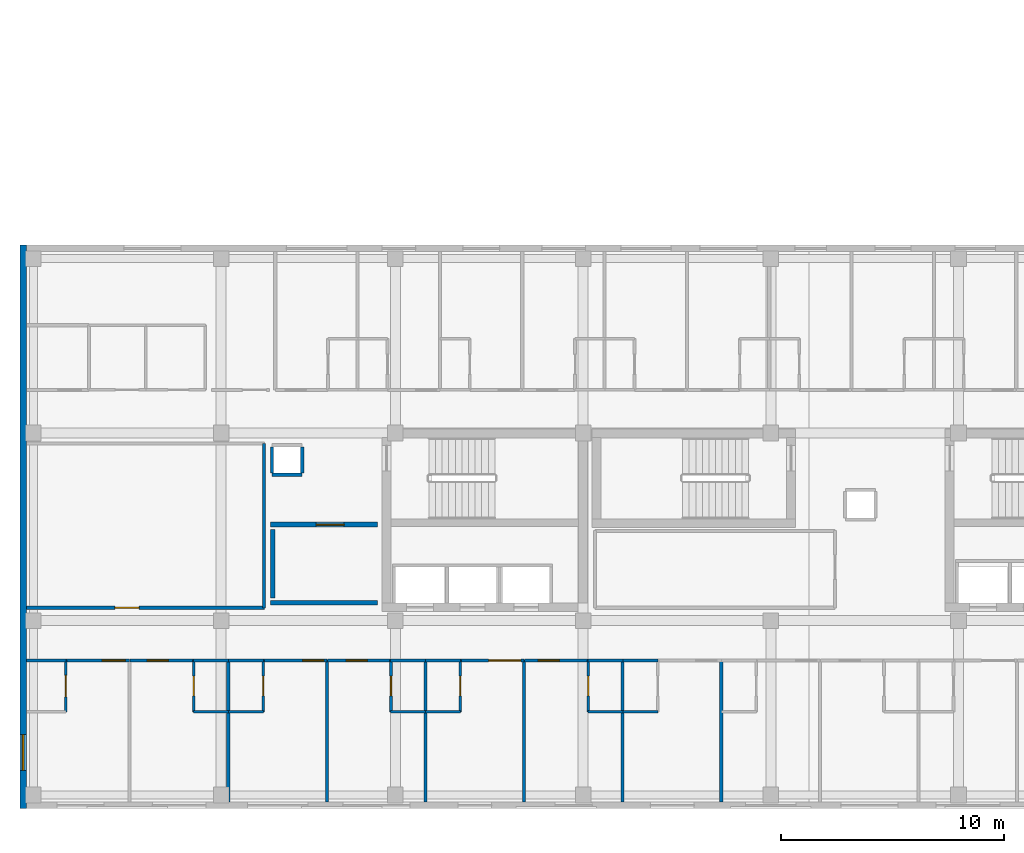
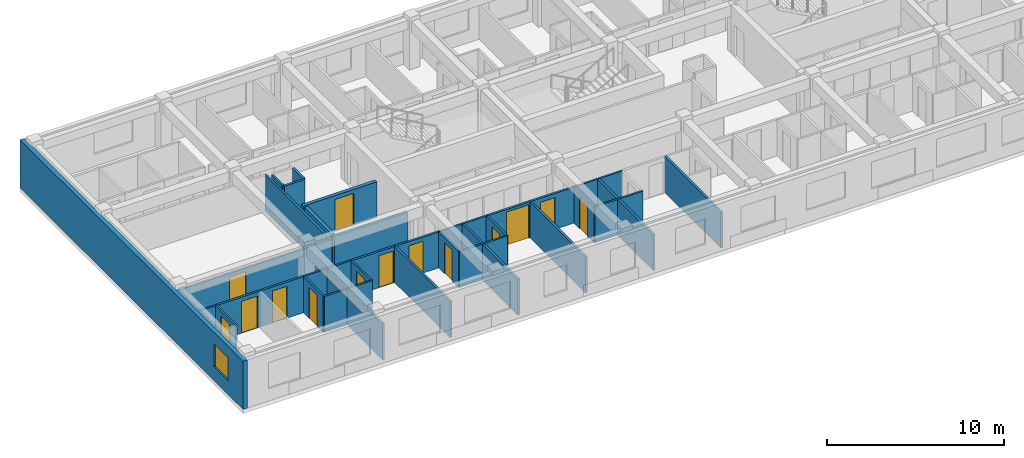
# One storey, part 3 of 13: 40 walls, 14 doors, 1 window, 15 openings.
"""IFC4 building model written with IfcOpenShell, lengths in metres."""

import ifcopenshell
import ifcopenshell.guid

model = None  # the IFC model being written
_history = None  # IfcOwnerHistory: only IFC2X3 demands one
_inside = {}  # id of a spatial element -> (the spatial element, [elements in it])
_under = {}  # id of a project, library or spatial element -> (it, [spatial elements below it])
_declared = {}  # id of a project -> (the project, [libraries it declares])
_typed = {}  # id of a type object -> (the type object, [elements of that type])
_made_of = {}  # id of a material, layer set ... -> (it, [elements and type objects made of it])


def new_model(schema):
    """Start an empty IFC model of exactly this schema.

    Asked for "IFC4X3", IfcOpenShell would pick the latest addendum, in which some entities
    have other attributes; the version numbers below select the first issue.
    IFC2X3 requires an IfcOwnerHistory on every rooted entity: one is made here for all.
    """
    global model, _history
    if schema == "IFC4X3":
        model = ifcopenshell.file(schema_version=(4, 3, 0, 0))
    else:
        model = ifcopenshell.file(schema=schema)
    _inside.clear()
    _under.clear()
    _declared.clear()
    _typed.clear()
    _made_of.clear()
    _history = None
    if model.schema == "IFC2X3":
        org = make("IfcOrganization", Name="unknown")
        user = make(
            "IfcPersonAndOrganization",
            ThePerson=make("IfcPerson", FamilyName="unknown"),
            TheOrganization=org,
        )
        app = make(
            "IfcApplication",
            ApplicationDeveloper=org,
            Version="unknown",
            ApplicationFullName="unknown",
            ApplicationIdentifier="unknown",
        )
        _history = make(
            "IfcOwnerHistory",
            OwningUser=user,
            OwningApplication=app,
            ChangeAction="ADDED",
            CreationDate=0,
        )
    return model


def make(cls, **values):
    """One entity of the class cls with the attributes given. An attribute that is None is left unset."""
    return model.create_entity(
        cls, **{name: value for name, value in values.items() if value is not None}
    )


def rooted(cls, **values):
    """An entity with a GlobalId (a new one), such as an element, a storey or a relation."""
    return make(cls, GlobalId=ifcopenshell.guid.new(), OwnerHistory=_history, **values)


def si_unit(unit_type, name, prefix=None):
    """IfcSIUnit, for example si_unit("LENGTHUNIT", "METRE", prefix="MILLI")."""
    return make("IfcSIUnit", UnitType=unit_type, Prefix=prefix, Name=name)


def assignment(units):
    """IfcUnitAssignment: the units of a project."""
    return None if units is None else make("IfcUnitAssignment", Units=units)


def point(xyz):
    """IfcCartesianPoint."""
    return None if xyz is None else make("IfcCartesianPoint", Coordinates=xyz)


def direction(xyz):
    """IfcDirection."""
    return None if xyz is None else make("IfcDirection", DirectionRatios=xyz)


def frame(location, z_axis=None, x_axis=None):
    """IfcAxis2Placement3D, a coordinate frame: its origin and axes. An axis left out is left unset."""
    return make(
        "IfcAxis2Placement3D",
        Location=point(location),
        Axis=direction(z_axis),
        RefDirection=direction(x_axis),
    )


def frame_2d(location, x_axis=None):
    """IfcAxis2Placement2D, a coordinate frame in the plane: its origin and x axis."""
    return make(
        "IfcAxis2Placement2D", Location=point(location), RefDirection=direction(x_axis)
    )


def origin():
    """The frame at (0, 0, 0) with its axes left unset."""
    return frame((0.0, 0.0, 0.0))


def place(relative_to, where):
    """IfcLocalPlacement: puts the frame where relative to a parent placement (None: the world)."""
    return make(
        "IfcLocalPlacement", PlacementRelTo=relative_to, RelativePlacement=where
    )


def context(
    kind, dimensions, precision=None, world=None, true_north=None, identifier=None
):
    """IfcGeometricRepresentationContext, for example the 3D "Model" context."""
    return make(
        "IfcGeometricRepresentationContext",
        ContextIdentifier=identifier,
        ContextType=kind,
        CoordinateSpaceDimension=dimensions,
        Precision=precision,
        WorldCoordinateSystem=world,
        TrueNorth=true_north,
    )


def subcontext(parent, identifier, kind, view, scale=None):
    """IfcGeometricRepresentationSubContext, for example "Body" below "Model"."""
    return make(
        "IfcGeometricRepresentationSubContext",
        ContextIdentifier=identifier,
        ContextType=kind,
        ParentContext=parent,
        TargetScale=scale,
        TargetView=view,
    )


def project(units=None, contexts=None):
    """IfcProject with its units and contexts."""
    return rooted(
        "IfcProject",
        Name="project",
        RepresentationContexts=contexts,
        UnitsInContext=assignment(units),
    )


def spatial(cls, under=None, at=None, **own):
    """A site, building, storey or space (cls), placed at a placement, below another one or the project."""
    s = rooted(cls, ObjectPlacement=at, **own)
    if under is not None:
        _under.setdefault(under.id(), (under, []))[1].append(s)
    return s


def profile(cls, at=None, kind="AREA", **sizes):
    """A parametric profile (cls). Its sizes go by their IFC names, for example OverallWidth=200.0."""
    return make(cls, ProfileType=kind, Position=at, **sizes)


def rectangle(**sizes):
    """IfcRectangleProfileDef."""
    return profile("IfcRectangleProfileDef", **sizes)


def extrude(swept, where, along, depth):
    """IfcExtrudedAreaSolid: the profile swept, set in the frame where, extruded along a direction by depth."""
    return make(
        "IfcExtrudedAreaSolid",
        SweptArea=swept,
        Position=where,
        ExtrudedDirection=direction(along),
        Depth=depth,
    )


def shape(context_of_items, identifier, shape_type, items):
    """IfcShapeRepresentation: the items that make up one representation, for example the "Body"."""
    return make(
        "IfcShapeRepresentation",
        ContextOfItems=context_of_items,
        RepresentationIdentifier=identifier,
        RepresentationType=shape_type,
        Items=items,
    )


def material(Name=None, Category=None):
    """IfcMaterial."""
    return make("IfcMaterial", Name=Name, Category=Category)


def layer(
    of_material, thickness, ventilated=None, Name=None, Category=None, Priority=None
):
    """IfcMaterialLayer: one layer of a wall or slab, of a material (None: an air gap)."""
    return make(
        "IfcMaterialLayer",
        Material=of_material,
        LayerThickness=thickness,
        IsVentilated=ventilated,
        Name=Name,
        Category=Category,
        Priority=Priority,
    )


def layer_set(layers, Name=None):
    """IfcMaterialLayerSet."""
    return make("IfcMaterialLayerSet", MaterialLayers=layers, LayerSetName=Name)


def made_of(thing, what):
    """Note that an element or type object is made of a material, layer set ...; save() writes the relation."""
    if what is not None:
        _made_of.setdefault(what.id(), (what, []))[1].append(thing)
    return thing


def type_object(cls, material=None, **own):
    """A type object (cls), such as IfcWallType, which elements share."""
    return made_of(rooted(cls, **own), material)


def element(
    cls,
    number,
    at=None,
    inside=None,
    cuts=None,
    type_object=None,
    material=None,
    context=None,
    identifier="Body",
    shape_type=None,
    held_by="IfcProductDefinitionShape",
    body=None,
    shapes=None,
    **own,
):
    """One element of the class cls, such as IfcWall. Its Tag is "e" and its number.

    at: its placement. inside: the storey or other place that contains it. cuts: it is an
    opening in that element (IfcRelVoidsElement). A single representation is given by context,
    identifier, shape_type and body (its items); several are given by shapes. held_by: the class
    of the entity that holds the representations. save() writes the other relations.
    """
    e = rooted(cls, Tag="e%d" % number, ObjectPlacement=at, **own)
    if body is not None:
        shapes = [shape(context, identifier, shape_type, body)]
    if shapes is not None:
        e.Representation = make(held_by, Representations=shapes)
    if inside is not None:
        _inside.setdefault(inside.id(), (inside, []))[1].append(e)
    if cuts is not None:
        rooted(
            "IfcRelVoidsElement", RelatingBuildingElement=cuts, RelatedOpeningElement=e
        )
    if type_object is not None:
        _typed.setdefault(type_object.id(), (type_object, []))[1].append(e)
    return made_of(e, material)


def fill(opening, filler):
    """IfcRelFillsElement: the door or window that sits in an opening."""
    return rooted(
        "IfcRelFillsElement",
        RelatingOpeningElement=opening,
        RelatedBuildingElement=filler,
    )


def aggregate(whole, parts):
    """IfcRelAggregates: a whole, such as a stair, and the parts it consists of."""
    return rooted("IfcRelAggregates", RelatingObject=whole, RelatedObjects=parts)


def save(model, path):
    """Write the relations noted so far, then the file.

    IfcRelAggregates (storeys below a building ...), IfcRelContainedInSpatialStructure (elements
    in a storey), IfcRelDefinesByType, IfcRelAssociatesMaterial and IfcRelDeclares: one each for
    every whole, place, type object, material and project.
    """
    for whole, parts in _under.values():
        aggregate(whole, parts)
    for where, things in _inside.values():
        rooted(
            "IfcRelContainedInSpatialStructure",
            RelatedElements=things,
            RelatingStructure=where,
        )
    for kind, things in _typed.values():
        rooted("IfcRelDefinesByType", RelatedObjects=things, RelatingType=kind)
    for what, things in _made_of.values():
        rooted("IfcRelAssociatesMaterial", RelatedObjects=things, RelatingMaterial=what)
    for by, libraries in _declared.values():
        rooted("IfcRelDeclares", RelatingContext=by, RelatedDefinitions=libraries)
    model.write(path)


model = new_model("IFC4")

# Units and contexts
model_context = context("Model", 3, precision=1e-05, world=origin(), true_north=direction((0.0, 1.0)))
body_context = subcontext(model_context, "Body", "Model", "MODEL_VIEW")
ifc_project = project(units=[si_unit("LENGTHUNIT", "METRE"), si_unit("AREAUNIT", "SQUARE_METRE"), si_unit("VOLUMEUNIT", "CUBIC_METRE"), si_unit("PLANEANGLEUNIT", "RADIAN"), si_unit("MASSUNIT", "GRAM", prefix="KILO")], contexts=[model_context])

# Site, building, storey
site_placement = place(None, origin())
site = spatial("IfcSite", under=ifc_project, at=site_placement, CompositionType="ELEMENT")
building_placement = place(site_placement, origin())
building = spatial("IfcBuilding", under=site, at=building_placement, Name="Zayran Congress Hotel", CompositionType="ELEMENT")
storey_placement = place(building_placement, frame((0.0, 0.0, 22.800048828125)))
storey = spatial("IfcBuildingStorey", under=building, at=storey_placement, Name="L05", CompositionType="ELEMENT", Elevation=22.800048828125)

# Wall, opening, window
ifc_material_1 = material(Name="Hajar Ma'ani limestone cavity wall and concrete C32/40", Category="masonry")
ifc_layer_1 = layer(ifc_material_1, 0.280029296875)
ifc_layer_set_1 = layer_set([ifc_layer_1], Name="Hajar Ma'ani limestone cavity wall and concrete C32/40")
wall_type_1 = type_object("IfcWallType", Name="WL-EX-280", PredefinedType="SOLIDWALL", material=ifc_layer_set_1)
wall_1_placement = place(storey_placement, frame((8.5400390625, 8.800048828125, 0.0), z_axis=(0.0, 0.0, 1.0), x_axis=(0.0, 1.0, 0.0)))
wall_1 = element("IfcWall", 1, at=wall_1_placement, inside=storey, type_object=wall_type_1, Name="EW-V5-W-L05", PredefinedType="SOLIDWALL", context=body_context, shape_type="SweptSolid", body=[
    extrude(rectangle(XDim=25.199951171875, YDim=0.280029296875, at=frame_2d((12.60009765625, 0.0))), origin(), (0.0, 0.0, 1.0), 3.320068359375),
])
opening_1_placement = place(wall_1_placement, frame((1.699951171875, 0.0, 0.949951171875)))
opening_1 = element("IfcOpeningElement", 2, at=opening_1_placement, cuts=wall_1, Name="Opening WN-15", PredefinedType="OPENING", context=body_context, shape_type="SweptSolid", body=[
    extrude(rectangle(XDim=1.60009765625, YDim=1.60009765625, at=frame_2d((0.800048828125, 0.800048828125))), frame((0.0, 0.14990234375, 0.0), z_axis=(0.0, -1.0, 0.0), x_axis=(1.0, 0.0, 0.0)), (0.0, 0.0, 1.0), 0.300048828125),
])
ifc_material_2 = material(Name="Anodised aluminium and low-E insulated glass", Category="aluminium")
window_type = type_object("IfcWindowType", Name="TP-WN-15", PartitioningType="SINGLE_PANEL", PredefinedType="WINDOW", material=ifc_material_2)
window_placement = place(opening_1_placement, origin())
window = element("IfcWindow", 3, at=window_placement, inside=storey, type_object=window_type, Name="WIN-V5W-L05", OverallHeight=1.60009765625, OverallWidth=1.60009765625, PartitioningType="SINGLE_PANEL", PredefinedType="WINDOW", context=body_context, shape_type="SweptSolid", body=[
    extrude(rectangle(XDim=1.60009765625, YDim=1.60009765625, at=frame_2d((0.800048828125, 0.800048828125))), frame((0.0, 0.030029296875, 0.0), z_axis=(0.0, -1.0, 0.0), x_axis=(1.0, 0.0, 0.0)), (0.0, 0.0, 1.0), 0.06005859375),
])
fill(opening_1, window)

# Wall
ifc_material_3 = material(Name="Concrete C32/40 fire wall", Category="concrete")
ifc_layer_2 = layer(ifc_material_3, 0.219970703125)
ifc_layer_set_2 = layer_set([ifc_layer_2], Name="Concrete C32/40 fire wall")
wall_type_2 = type_object("IfcWallType", Name="WL-FF-220", PredefinedType="SOLIDWALL", material=ifc_layer_set_2)
wall_2_placement = place(storey_placement, frame((19.60009765625, 18.0, 0.0), z_axis=(0.0, 0.0, 1.0), x_axis=(1.0, 0.0, 0.0)))
element("IfcWall", 4, at=wall_2_placement, inside=storey, type_object=wall_type_2, Name="FFWL-C-V5W-L05-S", PredefinedType="SOLIDWALL", context=body_context, shape_type="SweptSolid", body=[
    extrude(rectangle(XDim=4.7998046875, YDim=0.219970703125, at=frame_2d((2.39990234375, 0.0))), origin(), (0.0, 0.0, 1.0), 2.469970703125),
])

# Wall, opening, door
wall_3_placement = place(storey_placement, frame((19.60009765625, 21.5, 0.0), z_axis=(0.0, 0.0, 1.0), x_axis=(1.0, 0.0, 0.0)))
wall_3 = element("IfcWall", 5, at=wall_3_placement, inside=storey, type_object=wall_type_2, Name="FFWL-C-V5W-L05-N", PredefinedType="SOLIDWALL", context=body_context, shape_type="SweptSolid", body=[
    extrude(rectangle(XDim=4.7998046875, YDim=0.219970703125, at=frame_2d((2.39990234375, 0.0))), origin(), (0.0, 0.0, 1.0), 2.469970703125),
])
opening_2_placement = place(wall_3_placement, frame((2.050048828125, 0.0, 0.0)))
opening_2 = element("IfcOpeningElement", 6, at=opening_2_placement, cuts=wall_3, Name="Opening DR-FF-60", PredefinedType="OPENING", context=body_context, shape_type="SweptSolid", body=[
    extrude(rectangle(XDim=1.25, YDim=2.199951171875, at=frame_2d((0.625, 1.10009765625))), frame((0.0, 0.119873046875, 0.0), z_axis=(0.0, -1.0, 0.0), x_axis=(1.0, 0.0, 0.0)), (0.0, 0.0, 1.0), 0.239990234375),
])
ifc_material_4 = material(Name="Painted steel smoke-seal fire door", Category="steel")
door_type_1 = type_object("IfcDoorType", Name="TP-DR-FF-60", OperationType="NOTDEFINED", PredefinedType="DOOR", material=ifc_material_4)
door_1_placement = place(opening_2_placement, origin())
door_1 = element("IfcDoor", 7, at=door_1_placement, inside=storey, type_object=door_type_1, Name="Firefighting Lift Lobby Door C-V5W L05", OperationType="SINGLE_SWING_RIGHT", OverallHeight=2.199951171875, OverallWidth=1.25, PredefinedType="DOOR", context=body_context, shape_type="SweptSolid", body=[
    extrude(rectangle(XDim=1.25, YDim=2.199951171875, at=frame_2d((0.625, 1.10009765625))), frame((0.0, 0.02490234375, 0.0), z_axis=(0.0, -1.0, 0.0), x_axis=(1.0, 0.0, 0.0)), (0.0, 0.0, 1.0), 0.050048828125),
])
fill(opening_2, door_1)

# Wall
wall_4_placement = place(storey_placement, frame((19.7099609375, 18.219970703125, 0.0), z_axis=(0.0, 0.0, 1.0), x_axis=(0.0, 1.0, 0.0)))
element("IfcWall", 8, at=wall_4_placement, inside=storey, type_object=wall_type_2, Name="FFWL-C-V5W-L05-SD", PredefinedType="SOLIDWALL", context=body_context, shape_type="SweptSolid", body=[
    extrude(rectangle(XDim=3.06005859375, YDim=0.219970703125, at=frame_2d((1.530029296875, 0.0))), origin(), (0.0, 0.0, 1.0), 2.469970703125),
])

# Wall, opening, door
ifc_material_5 = material(Name="Hospitality guestroom acoustic partition", Category="gypsum")
ifc_layer_3 = layer(ifc_material_5, 0.139892578125)
ifc_layer_set_3 = layer_set([ifc_layer_3], Name="Hospitality guestroom acoustic partition")
wall_type_3 = type_object("IfcWallType", Name="WL-PT-140", PredefinedType="PARTITIONING", material=ifc_layer_set_3)
wall_5_placement = place(storey_placement, frame((8.679931640625, 17.780029296875, 0.0), z_axis=(0.0, 0.0, 1.0), x_axis=(1.0, 0.0, 0.0)))
wall_5 = element("IfcWall", 9, at=wall_5_placement, inside=storey, type_object=wall_type_3, Name="IW-L05-0655", PredefinedType="PARTITIONING", context=body_context, shape_type="SweptSolid", body=[
    extrude(rectangle(XDim=10.650146484375, YDim=0.139892578125, at=frame_2d((5.3251953125, 0.0))), origin(), (0.0, 0.0, 1.0), 2.47998046875),
])
opening_3_placement = place(wall_5_placement, frame((3.969970703125, 0.0, 0.0)))
opening_3 = element("IfcOpeningElement", 10, at=opening_3_placement, cuts=wall_5, Name="Opening DR-MT-01", PredefinedType="OPENING", context=body_context, shape_type="SweptSolid", body=[
    extrude(rectangle(XDim=1.080078125, YDim=2.25, at=frame_2d((0.5400390625, 1.125))), frame((0.0, 0.079833984375, 0.0), z_axis=(0.0, -1.0, 0.0), x_axis=(1.0, 0.0, 0.0)), (0.0, 0.0, 1.0), 0.159912109375),
])
ifc_material_6 = material(Name="Acoustic timber seminar room door", Category="wood")
door_type_2 = type_object("IfcDoorType", Name="TP-DR-MT-01", OperationType="NOTDEFINED", PredefinedType="DOOR", material=ifc_material_6)
door_2_placement = place(opening_3_placement, origin())
door_2 = element("IfcDoor", 11, at=door_2_placement, inside=storey, type_object=door_type_2, Name="Delegate Study Salon West L05 Door", OperationType="SINGLE_SWING_RIGHT", OverallHeight=2.25, OverallWidth=1.080078125, PredefinedType="DOOR", context=body_context, shape_type="SweptSolid", body=[
    extrude(rectangle(XDim=1.080078125, YDim=2.25, at=frame_2d((0.5400390625, 1.125))), frame((0.0, 0.02490234375, 0.0), z_axis=(0.0, -1.0, 0.0), x_axis=(1.0, 0.0, 0.0)), (0.0, 0.0, 1.0), 0.050048828125),
])
fill(opening_3, door_2)

wall_6_placement = place(storey_placement, frame((10.452880859375, 15.419921875, 0.0), z_axis=(0.0, 0.0, 1.0), x_axis=(1.0, 0.0, 0.0)))
wall_6 = element("IfcWall", 12, at=wall_6_placement, inside=storey, type_object=wall_type_3, Name="IW-L05-0657", PredefinedType="PARTITIONING", context=body_context, shape_type="SweptSolid", body=[
    extrude(rectangle(XDim=2.85009765625, YDim=0.139892578125, at=frame_2d((1.425048828125, 0.0))), origin(), (0.0, 0.0, 1.0), 2.47998046875),
])
opening_4_placement = place(wall_6_placement, frame((1.635009765625, 0.0, 0.0)))
opening_4 = element("IfcOpeningElement", 13, at=opening_4_placement, cuts=wall_6, Name="Opening DR-GR-02", PredefinedType="OPENING", context=body_context, shape_type="SweptSolid", body=[
    extrude(rectangle(XDim=1.02001953125, YDim=2.199951171875, at=frame_2d((0.510009765625, 1.10009765625))), frame((0.0, 0.079833984375, 0.0), z_axis=(0.0, -1.0, 0.0), x_axis=(1.0, 0.0, 0.0)), (0.0, 0.0, 1.0), 0.159912109375),
])
ifc_material_7 = material(Name="Accessible acoustic walnut veneer entry door", Category="wood")
door_type_3 = type_object("IfcDoorType", Name="TP-DR-GR-02", OperationType="NOTDEFINED", PredefinedType="DOOR", material=ifc_material_7)
door_3_placement = place(opening_4_placement, origin())
door_3 = element("IfcDoor", 14, at=door_3_placement, inside=storey, type_object=door_type_3, Name="Accessible Guest Room L05-01 Door", OperationType="SINGLE_SWING_RIGHT", OverallHeight=2.199951171875, OverallWidth=1.02001953125, PredefinedType="DOOR", context=body_context, shape_type="SweptSolid", body=[
    extrude(rectangle(XDim=1.02001953125, YDim=2.199951171875, at=frame_2d((0.510009765625, 1.10009765625))), frame((0.0, 0.02490234375, 0.0), z_axis=(0.0, -1.0, 0.0), x_axis=(1.0, 0.0, 0.0)), (0.0, 0.0, 1.0), 0.050048828125),
])
fill(opening_4, door_3)

wall_7_placement = place(storey_placement, frame((13.322998046875, 15.419921875, 0.0), z_axis=(0.0, 0.0, 1.0), x_axis=(1.0, 0.0, 0.0)))
wall_7 = element("IfcWall", 15, at=wall_7_placement, inside=storey, type_object=wall_type_3, Name="IW-L05-0658", PredefinedType="PARTITIONING", context=body_context, shape_type="SweptSolid", body=[
    extrude(rectangle(XDim=2.85009765625, YDim=0.139892578125, at=frame_2d((1.425048828125, 0.0))), origin(), (0.0, 0.0, 1.0), 2.47998046875),
])
opening_5_placement = place(wall_7_placement, frame((0.780029296875, 0.0, 0.0)))
opening_5 = element("IfcOpeningElement", 16, at=opening_5_placement, cuts=wall_7, Name="Opening DR-GR-01", PredefinedType="OPENING", context=body_context, shape_type="SweptSolid", body=[
    extrude(rectangle(XDim=0.93994140625, YDim=2.199951171875, at=frame_2d((0.469970703125, 1.10009765625))), frame((0.0, 0.079833984375, 0.0), z_axis=(0.0, -1.0, 0.0), x_axis=(1.0, 0.0, 0.0)), (0.0, 0.0, 1.0), 0.159912109375),
])
ifc_material_8 = material(Name="Acoustic walnut veneer fire-rated entry door", Category="wood")
door_type_4 = type_object("IfcDoorType", Name="TP-DR-GR-01", OperationType="NOTDEFINED", PredefinedType="DOOR", material=ifc_material_8)
door_4_placement = place(opening_5_placement, origin())
door_4 = element("IfcDoor", 17, at=door_4_placement, inside=storey, type_object=door_type_4, Name="Guest Room L05-02 Door", OperationType="SINGLE_SWING_LEFT", OverallHeight=2.199951171875, OverallWidth=0.93994140625, PredefinedType="DOOR", context=body_context, shape_type="SweptSolid", body=[
    extrude(rectangle(XDim=0.93994140625, YDim=2.199951171875, at=frame_2d((0.469970703125, 1.10009765625))), frame((0.0, 0.02490234375, 0.0), z_axis=(0.0, -1.0, 0.0), x_axis=(1.0, 0.0, 0.0)), (0.0, 0.0, 1.0), 0.050048828125),
])
fill(opening_5, door_4)

wall_8_placement = place(storey_placement, frame((19.280029296875, 15.419921875, 0.0), z_axis=(0.0, 0.0, 1.0), x_axis=(1.0, 0.0, 0.0)))
wall_8 = element("IfcWall", 18, at=wall_8_placement, inside=storey, type_object=wall_type_3, Name="IW-L05-0659", PredefinedType="PARTITIONING", context=body_context, shape_type="SweptSolid", body=[
    extrude(rectangle(XDim=2.849853515625, YDim=0.139892578125, at=frame_2d((1.4248046875, 0.0))), origin(), (0.0, 0.0, 1.0), 2.47998046875),
])
opening_6_placement = place(wall_8_placement, frame((1.77001953125, 0.0, 0.0)))
opening_6 = element("IfcOpeningElement", 19, at=opening_6_placement, cuts=wall_8, Name="Opening DR-GR-01", PredefinedType="OPENING", context=body_context, shape_type="SweptSolid", body=[
    extrude(rectangle(XDim=0.93994140625, YDim=2.199951171875, at=frame_2d((0.469970703125, 1.10009765625))), frame((0.0, 0.079833984375, 0.0), z_axis=(0.0, -1.0, 0.0), x_axis=(1.0, 0.0, 0.0)), (0.0, 0.0, 1.0), 0.159912109375),
])
door_5_placement = place(opening_6_placement, origin())
door_5 = element("IfcDoor", 20, at=door_5_placement, inside=storey, type_object=door_type_4, Name="Guest Room L05-03 Door", OperationType="SINGLE_SWING_RIGHT", OverallHeight=2.199951171875, OverallWidth=0.93994140625, PredefinedType="DOOR", context=body_context, shape_type="SweptSolid", body=[
    extrude(rectangle(XDim=0.93994140625, YDim=2.199951171875, at=frame_2d((0.469970703125, 1.10009765625))), frame((0.0, 0.02490234375, 0.0), z_axis=(0.0, -1.0, 0.0), x_axis=(1.0, 0.0, 0.0)), (0.0, 0.0, 1.0), 0.050048828125),
])
fill(opening_6, door_5)

wall_9_placement = place(storey_placement, frame((22.14990234375, 15.419921875, 0.0), z_axis=(0.0, 0.0, 1.0), x_axis=(1.0, 0.0, 0.0)))
wall_9 = element("IfcWall", 21, at=wall_9_placement, inside=storey, type_object=wall_type_3, Name="IW-L05-0660", PredefinedType="PARTITIONING", context=body_context, shape_type="SweptSolid", body=[
    extrude(rectangle(XDim=2.85009765625, YDim=0.139892578125, at=frame_2d((1.425048828125, 0.0))), origin(), (0.0, 0.0, 1.0), 2.47998046875),
])
opening_7_placement = place(wall_9_placement, frame((0.839111328125, 0.0, 0.0)))
opening_7 = element("IfcOpeningElement", 22, at=opening_7_placement, cuts=wall_9, Name="Opening DR-GR-01", PredefinedType="OPENING", context=body_context, shape_type="SweptSolid", body=[
    extrude(rectangle(XDim=0.93994140625, YDim=2.199951171875, at=frame_2d((0.469970703125, 1.10009765625))), frame((0.0, 0.079833984375, 0.0), z_axis=(0.0, -1.0, 0.0), x_axis=(1.0, 0.0, 0.0)), (0.0, 0.0, 1.0), 0.159912109375),
])
door_6_placement = place(opening_7_placement, origin())
door_6 = element("IfcDoor", 23, at=door_6_placement, inside=storey, type_object=door_type_4, Name="Guest Room L05-04 Door", OperationType="SINGLE_SWING_LEFT", OverallHeight=2.199951171875, OverallWidth=0.93994140625, PredefinedType="DOOR", context=body_context, shape_type="SweptSolid", body=[
    extrude(rectangle(XDim=0.93994140625, YDim=2.199951171875, at=frame_2d((0.469970703125, 1.10009765625))), frame((0.0, 0.02490234375, 0.0), z_axis=(0.0, -1.0, 0.0), x_axis=(1.0, 0.0, 0.0)), (0.0, 0.0, 1.0), 0.050048828125),
])
fill(opening_7, door_6)

wall_10_placement = place(storey_placement, frame((28.10693359375, 15.419921875, 0.0), z_axis=(0.0, 0.0, 1.0), x_axis=(1.0, 0.0, 0.0)))
wall_10 = element("IfcWall", 24, at=wall_10_placement, inside=storey, type_object=wall_type_3, Name="IW-L05-0661", PredefinedType="PARTITIONING", context=body_context, shape_type="SweptSolid", body=[
    extrude(rectangle(XDim=2.85009765625, YDim=0.139892578125, at=frame_2d((1.425048828125, 0.0))), origin(), (0.0, 0.0, 1.0), 2.47998046875),
])
opening_8_placement = place(wall_10_placement, frame((1.260009765625, 0.0, 0.0)))
opening_8 = element("IfcOpeningElement", 25, at=opening_8_placement, cuts=wall_10, Name="Opening DR-ST-01", PredefinedType="OPENING", context=body_context, shape_type="SweptSolid", body=[
    extrude(rectangle(XDim=1.449951171875, YDim=2.300048828125, at=frame_2d((0.72509765625, 1.14990234375))), frame((0.0, 0.079833984375, 0.0), z_axis=(0.0, -1.0, 0.0), x_axis=(1.0, 0.0, 0.0)), (0.0, 0.0, 1.0), 0.159912109375),
])
ifc_material_9 = material(Name="Double walnut veneer suite entry door", Category="wood")
door_type_5 = type_object("IfcDoorType", Name="TP-DR-ST-01", OperationType="DOUBLE_DOOR_SINGLE_SWING", PredefinedType="DOOR", material=ifc_material_9)
door_7_placement = place(opening_8_placement, origin())
door_7 = element("IfcDoor", 26, at=door_7_placement, inside=storey, type_object=door_type_5, Name="Junior Suite L05-05 Door", OperationType="DOUBLE_DOOR_SINGLE_SWING", OverallHeight=2.300048828125, OverallWidth=1.449951171875, PredefinedType="DOOR", context=body_context, shape_type="SweptSolid", body=[
    extrude(rectangle(XDim=1.449951171875, YDim=2.300048828125, at=frame_2d((0.72509765625, 1.14990234375))), frame((0.0, 0.02490234375, 0.0), z_axis=(0.0, -1.0, 0.0), x_axis=(1.0, 0.0, 0.0)), (0.0, 0.0, 1.0), 0.050048828125),
])
fill(opening_8, door_7)

wall_11_placement = place(storey_placement, frame((30.97705078125, 15.419921875, 0.0), z_axis=(0.0, 0.0, 1.0), x_axis=(1.0, 0.0, 0.0)))
wall_11 = element("IfcWall", 27, at=wall_11_placement, inside=storey, type_object=wall_type_3, Name="IW-L05-0662", PredefinedType="PARTITIONING", context=body_context, shape_type="SweptSolid", body=[
    extrude(rectangle(XDim=2.849853515625, YDim=0.139892578125, at=frame_2d((1.4248046875, 0.0))), origin(), (0.0, 0.0, 1.0), 2.47998046875),
])
opening_9_placement = place(wall_11_placement, frame((0.60595703125, 0.0, 0.0)))
opening_9 = element("IfcOpeningElement", 28, at=opening_9_placement, cuts=wall_11, Name="Opening DR-GR-01", PredefinedType="OPENING", context=body_context, shape_type="SweptSolid", body=[
    extrude(rectangle(XDim=0.93994140625, YDim=2.199951171875, at=frame_2d((0.469970703125, 1.10009765625))), frame((0.0, 0.079833984375, 0.0), z_axis=(0.0, -1.0, 0.0), x_axis=(1.0, 0.0, 0.0)), (0.0, 0.0, 1.0), 0.159912109375),
])
door_8_placement = place(opening_9_placement, origin())
door_8 = element("IfcDoor", 29, at=door_8_placement, inside=storey, type_object=door_type_4, Name="Guest Room L05-06 Door", OperationType="SINGLE_SWING_RIGHT", OverallHeight=2.199951171875, OverallWidth=0.93994140625, PredefinedType="DOOR", context=body_context, shape_type="SweptSolid", body=[
    extrude(rectangle(XDim=0.93994140625, YDim=2.199951171875, at=frame_2d((0.469970703125, 1.10009765625))), frame((0.0, 0.02490234375, 0.0), z_axis=(0.0, -1.0, 0.0), x_axis=(1.0, 0.0, 0.0)), (0.0, 0.0, 1.0), 0.050048828125),
])
fill(opening_9, door_8)

# Walls
wall_12_placement = place(storey_placement, frame((19.320068359375, 17.77001953125, 0.0), z_axis=(0.0, 0.0, 1.0), x_axis=(0.0, 1.0, 0.0)))
element("IfcWall", 30, at=wall_12_placement, inside=storey, type_object=wall_type_3, Name="IW-L05-1982", PredefinedType="PARTITIONING", context=body_context, shape_type="SweptSolid", body=[
    extrude(rectangle(XDim=7.35986328125, YDim=0.139892578125, at=frame_2d((3.679931640625, 0.0))), origin(), (0.0, 0.0, 1.0), 2.47998046875),
])
for number, where, z_axis, x_axis, name in (
    (31, (17.717041015625, 9.080078125, 0.0), (0.0, 0.0, 1.0), (0.0, 1.0, 0.0), "IW-L05-1987"),
    (32, (22.1298828125, 9.080078125, 0.0), (0.0, 0.0, 1.0), (0.0, 1.0, 0.0), "IW-L05-1988"),
    (33, (26.54296875, 9.080078125, 0.0), (0.0, 0.0, 1.0), (0.0, 1.0, 0.0), "IW-L05-1989"),
    (34, (30.95703125, 9.080078125, 0.0), (0.0, 0.0, 1.0), (0.0, 1.0, 0.0), "IW-L05-1990"),
    (35, (35.3701171875, 9.080078125, 0.0), (0.0, 0.0, 1.0), (0.0, 1.0, 0.0), "IW-L05-1991"),
    (36, (39.782958984375, 9.080078125, 0.0), (0.0, 0.0, 1.0), (0.0, 1.0, 0.0), "IW-L05-1992"),
):
    element("IfcWall", number, at=place(storey_placement, frame(where, z_axis=z_axis, x_axis=x_axis)), inside=storey, type_object=wall_type_3, Name=name, PredefinedType="PARTITIONING", context=body_context, shape_type="SweptSolid", body=[
        extrude(rectangle(XDim=6.349853515625, YDim=0.139892578125, at=frame_2d((3.1748046875, 0.0))), origin(), (0.0, 0.0, 1.0), 2.47998046875),
    ])
wall_13_placement = place(storey_placement, frame((19.669921875, 23.72998046875, 0.0), z_axis=(0.0, 0.0, 1.0), x_axis=(1.0, 0.0, 0.0)))
element("IfcWall", 37, at=wall_13_placement, inside=storey, type_object=wall_type_3, Name="RSWL-V5-L05-038-S", PredefinedType="PARTITIONING", context=body_context, shape_type="SweptSolid", body=[
    extrude(rectangle(XDim=1.360107421875, YDim=0.139892578125, at=frame_2d((0.68017578125, 0.0))), origin(), (0.0, 0.0, 1.0), 2.43994140625),
])
for number, where, z_axis, x_axis, name in (
    (38, (19.669921875, 24.97998046875, 0.0), (0.0, 0.0, 1.0), (0.0, -1.0, 0.0), "RSWL-V5-L05-038-W"),
    (39, (21.030029296875, 23.800048828125, 0.0), (0.0, 0.0, 1.0), (0.0, 1.0, 0.0), "RSWL-V5-L05-038-E"),
):
    element("IfcWall", number, at=place(storey_placement, frame(where, z_axis=z_axis, x_axis=x_axis)), inside=storey, type_object=wall_type_3, Name=name, PredefinedType="PARTITIONING", context=body_context, shape_type="SweptSolid", body=[
        extrude(rectangle(XDim=1.179931640625, YDim=0.139892578125, at=frame_2d((0.58984375, 0.0))), origin(), (0.0, 0.0, 1.0), 2.43994140625),
    ])

# Wall, opening, door
ifc_material_10 = material(Name="Moisture-resistant bathroom partition", Category="gypsum")
ifc_layer_4 = layer(ifc_material_10, 0.1201171875)
ifc_layer_set_4 = layer_set([ifc_layer_4], Name="Moisture-resistant bathroom partition")
wall_type_4 = type_object("IfcWallType", Name="WL-PT-120", PredefinedType="PARTITIONING", material=ifc_layer_set_4)
wall_14_placement = place(storey_placement, frame((10.452880859375, 13.1201171875, 0.0), z_axis=(0.0, 0.0, 1.0), x_axis=(0.0, 1.0, 0.0)))
wall_14 = element("IfcWall", 40, at=wall_14_placement, inside=storey, type_object=wall_type_4, Name="IW-L05-0161", PredefinedType="PARTITIONING", context=body_context, shape_type="SweptSolid", body=[
    extrude(rectangle(XDim=2.309814453125, YDim=0.1201171875, at=frame_2d((1.15478515625, 0.0))), origin(), (0.0, 0.0, 1.0), 2.47998046875),
])
opening_10_placement = place(wall_14_placement, frame((0.675048828125, 0.0, 0.0)))
opening_10 = element("IfcOpeningElement", 41, at=opening_10_placement, cuts=wall_14, Name="Opening DR-BT-02", PredefinedType="OPENING", context=body_context, shape_type="SweptSolid", body=[
    extrude(rectangle(XDim=0.9599609375, YDim=2.14990234375, at=frame_2d((0.47998046875, 1.074951171875))), frame((0.0, 0.070068359375, 0.0), z_axis=(0.0, -1.0, 0.0), x_axis=(1.0, 0.0, 0.0)), (0.0, 0.0, 1.0), 0.14013671875),
])
ifc_material_11 = material(Name="Accessible en-suite bathroom door", Category="steel")
door_type_6 = type_object("IfcDoorType", Name="TP-DR-BT-02", OperationType="NOTDEFINED", PredefinedType="DOOR", material=ifc_material_11)
door_9_placement = place(opening_10_placement, origin())
door_9 = element("IfcDoor", 42, at=door_9_placement, inside=storey, type_object=door_type_6, Name="En-Suite Bathroom L05-01 Door", OperationType="SINGLE_SWING_RIGHT", OverallHeight=2.14990234375, OverallWidth=0.9599609375, PredefinedType="DOOR", context=body_context, shape_type="SweptSolid", body=[
    extrude(rectangle(XDim=0.9599609375, YDim=2.14990234375, at=frame_2d((0.47998046875, 1.074951171875))), frame((0.0, 0.02490234375, 0.0), z_axis=(0.0, -1.0, 0.0), x_axis=(1.0, 0.0, 0.0)), (0.0, 0.0, 1.0), 0.050048828125),
])
fill(opening_10, door_9)

wall_15_placement = place(storey_placement, frame((16.173095703125, 13.1201171875, 0.0), z_axis=(0.0, 0.0, 1.0), x_axis=(0.0, 1.0, 0.0)))
wall_15 = element("IfcWall", 43, at=wall_15_placement, inside=storey, type_object=wall_type_4, Name="IW-L05-0162", PredefinedType="PARTITIONING", context=body_context, shape_type="SweptSolid", body=[
    extrude(rectangle(XDim=2.309814453125, YDim=0.1201171875, at=frame_2d((1.15478515625, 0.0))), origin(), (0.0, 0.0, 1.0), 2.47998046875),
])
opening_11_placement = place(wall_15_placement, frame((0.715087890625, 0.0, 0.0)))
opening_11 = element("IfcOpeningElement", 44, at=opening_11_placement, cuts=wall_15, Name="Opening DR-BT-01", PredefinedType="OPENING", context=body_context, shape_type="SweptSolid", body=[
    extrude(rectangle(XDim=0.8798828125, YDim=2.14990234375, at=frame_2d((0.43994140625, 1.074951171875))), frame((0.0, 0.070068359375, 0.0), z_axis=(0.0, -1.0, 0.0), x_axis=(1.0, 0.0, 0.0)), (0.0, 0.0, 1.0), 0.14013671875),
])
ifc_material_12 = material(Name="Moisture-resistant oak en-suite door", Category="wood")
door_type_7 = type_object("IfcDoorType", Name="TP-DR-BT-01", OperationType="NOTDEFINED", PredefinedType="DOOR", material=ifc_material_12)
door_10_placement = place(opening_11_placement, origin())
door_10 = element("IfcDoor", 45, at=door_10_placement, inside=storey, type_object=door_type_7, Name="En-Suite Bathroom L05-02 Door", OperationType="SINGLE_SWING_LEFT", OverallHeight=2.14990234375, OverallWidth=0.8798828125, PredefinedType="DOOR", context=body_context, shape_type="SweptSolid", body=[
    extrude(rectangle(XDim=0.8798828125, YDim=2.14990234375, at=frame_2d((0.43994140625, 1.074951171875))), frame((0.0, 0.02490234375, 0.0), z_axis=(0.0, -1.0, 0.0), x_axis=(1.0, 0.0, 0.0)), (0.0, 0.0, 1.0), 0.050048828125),
])
fill(opening_11, door_10)

wall_16_placement = place(storey_placement, frame((19.280029296875, 13.1201171875, 0.0), z_axis=(0.0, 0.0, 1.0), x_axis=(0.0, 1.0, 0.0)))
wall_16 = element("IfcWall", 46, at=wall_16_placement, inside=storey, type_object=wall_type_4, Name="IW-L05-0163", PredefinedType="PARTITIONING", context=body_context, shape_type="SweptSolid", body=[
    extrude(rectangle(XDim=2.309814453125, YDim=0.1201171875, at=frame_2d((1.15478515625, 0.0))), origin(), (0.0, 0.0, 1.0), 2.47998046875),
])
opening_12_placement = place(wall_16_placement, frame((0.715087890625, 0.0, 0.0)))
opening_12 = element("IfcOpeningElement", 47, at=opening_12_placement, cuts=wall_16, Name="Opening DR-BT-01", PredefinedType="OPENING", context=body_context, shape_type="SweptSolid", body=[
    extrude(rectangle(XDim=0.8798828125, YDim=2.14990234375, at=frame_2d((0.43994140625, 1.074951171875))), frame((0.0, 0.070068359375, 0.0), z_axis=(0.0, -1.0, 0.0), x_axis=(1.0, 0.0, 0.0)), (0.0, 0.0, 1.0), 0.14013671875),
])
door_11_placement = place(opening_12_placement, origin())
door_11 = element("IfcDoor", 48, at=door_11_placement, inside=storey, type_object=door_type_7, Name="En-Suite Bathroom L05-03 Door", OperationType="SINGLE_SWING_RIGHT", OverallHeight=2.14990234375, OverallWidth=0.8798828125, PredefinedType="DOOR", context=body_context, shape_type="SweptSolid", body=[
    extrude(rectangle(XDim=0.8798828125, YDim=2.14990234375, at=frame_2d((0.43994140625, 1.074951171875))), frame((0.0, 0.02490234375, 0.0), z_axis=(0.0, -1.0, 0.0), x_axis=(1.0, 0.0, 0.0)), (0.0, 0.0, 1.0), 0.050048828125),
])
fill(opening_12, door_11)

wall_17_placement = place(storey_placement, frame((25.0, 13.1201171875, 0.0), z_axis=(0.0, 0.0, 1.0), x_axis=(0.0, 1.0, 0.0)))
wall_17 = element("IfcWall", 49, at=wall_17_placement, inside=storey, type_object=wall_type_4, Name="IW-L05-0164", PredefinedType="PARTITIONING", context=body_context, shape_type="SweptSolid", body=[
    extrude(rectangle(XDim=2.309814453125, YDim=0.1201171875, at=frame_2d((1.15478515625, 0.0))), origin(), (0.0, 0.0, 1.0), 2.47998046875),
])
opening_13_placement = place(wall_17_placement, frame((0.715087890625, 0.0, 0.0)))
opening_13 = element("IfcOpeningElement", 50, at=opening_13_placement, cuts=wall_17, Name="Opening DR-BT-01", PredefinedType="OPENING", context=body_context, shape_type="SweptSolid", body=[
    extrude(rectangle(XDim=0.8798828125, YDim=2.14990234375, at=frame_2d((0.43994140625, 1.074951171875))), frame((0.0, 0.070068359375, 0.0), z_axis=(0.0, -1.0, 0.0), x_axis=(1.0, 0.0, 0.0)), (0.0, 0.0, 1.0), 0.14013671875),
])
door_12_placement = place(opening_13_placement, origin())
door_12 = element("IfcDoor", 51, at=door_12_placement, inside=storey, type_object=door_type_7, Name="En-Suite Bathroom L05-04 Door", OperationType="SINGLE_SWING_LEFT", OverallHeight=2.14990234375, OverallWidth=0.8798828125, PredefinedType="DOOR", context=body_context, shape_type="SweptSolid", body=[
    extrude(rectangle(XDim=0.8798828125, YDim=2.14990234375, at=frame_2d((0.43994140625, 1.074951171875))), frame((0.0, 0.02490234375, 0.0), z_axis=(0.0, -1.0, 0.0), x_axis=(1.0, 0.0, 0.0)), (0.0, 0.0, 1.0), 0.050048828125),
])
fill(opening_13, door_12)

wall_18_placement = place(storey_placement, frame((28.10693359375, 13.1201171875, 0.0), z_axis=(0.0, 0.0, 1.0), x_axis=(0.0, 1.0, 0.0)))
wall_18 = element("IfcWall", 52, at=wall_18_placement, inside=storey, type_object=wall_type_4, Name="IW-L05-0165", PredefinedType="PARTITIONING", context=body_context, shape_type="SweptSolid", body=[
    extrude(rectangle(XDim=2.309814453125, YDim=0.1201171875, at=frame_2d((1.15478515625, 0.0))), origin(), (0.0, 0.0, 1.0), 2.47998046875),
])
opening_14_placement = place(wall_18_placement, frame((0.715087890625, 0.0, 0.0)))
opening_14 = element("IfcOpeningElement", 53, at=opening_14_placement, cuts=wall_18, Name="Opening DR-BT-01", PredefinedType="OPENING", context=body_context, shape_type="SweptSolid", body=[
    extrude(rectangle(XDim=0.8798828125, YDim=2.14990234375, at=frame_2d((0.43994140625, 1.074951171875))), frame((0.0, 0.070068359375, 0.0), z_axis=(0.0, -1.0, 0.0), x_axis=(1.0, 0.0, 0.0)), (0.0, 0.0, 1.0), 0.14013671875),
])
door_13_placement = place(opening_14_placement, origin())
door_13 = element("IfcDoor", 54, at=door_13_placement, inside=storey, type_object=door_type_7, Name="En-Suite Bathroom L05-05 Door", OperationType="SINGLE_SWING_RIGHT", OverallHeight=2.14990234375, OverallWidth=0.8798828125, PredefinedType="DOOR", context=body_context, shape_type="SweptSolid", body=[
    extrude(rectangle(XDim=0.8798828125, YDim=2.14990234375, at=frame_2d((0.43994140625, 1.074951171875))), frame((0.0, 0.02490234375, 0.0), z_axis=(0.0, -1.0, 0.0), x_axis=(1.0, 0.0, 0.0)), (0.0, 0.0, 1.0), 0.050048828125),
])
fill(opening_14, door_13)

wall_19_placement = place(storey_placement, frame((33.826904296875, 13.1201171875, 0.0), z_axis=(0.0, 0.0, 1.0), x_axis=(0.0, 1.0, 0.0)))
wall_19 = element("IfcWall", 55, at=wall_19_placement, inside=storey, type_object=wall_type_4, Name="IW-L05-0166", PredefinedType="PARTITIONING", context=body_context, shape_type="SweptSolid", body=[
    extrude(rectangle(XDim=2.309814453125, YDim=0.1201171875, at=frame_2d((1.15478515625, 0.0))), origin(), (0.0, 0.0, 1.0), 2.47998046875),
])
opening_15_placement = place(wall_19_placement, frame((0.715087890625, 0.0, 0.0)))
opening_15 = element("IfcOpeningElement", 56, at=opening_15_placement, cuts=wall_19, Name="Opening DR-BT-01", PredefinedType="OPENING", context=body_context, shape_type="SweptSolid", body=[
    extrude(rectangle(XDim=0.8798828125, YDim=2.14990234375, at=frame_2d((0.43994140625, 1.074951171875))), frame((0.0, 0.070068359375, 0.0), z_axis=(0.0, -1.0, 0.0), x_axis=(1.0, 0.0, 0.0)), (0.0, 0.0, 1.0), 0.14013671875),
])
door_14_placement = place(opening_15_placement, origin())
door_14 = element("IfcDoor", 57, at=door_14_placement, inside=storey, type_object=door_type_7, Name="En-Suite Bathroom L05-06 Door", OperationType="SINGLE_SWING_LEFT", OverallHeight=2.14990234375, OverallWidth=0.8798828125, PredefinedType="DOOR", context=body_context, shape_type="SweptSolid", body=[
    extrude(rectangle(XDim=0.8798828125, YDim=2.14990234375, at=frame_2d((0.43994140625, 1.074951171875))), frame((0.0, 0.02490234375, 0.0), z_axis=(0.0, -1.0, 0.0), x_axis=(1.0, 0.0, 0.0)), (0.0, 0.0, 1.0), 0.050048828125),
])
fill(opening_15, door_14)

# Walls
wall_20_placement = place(storey_placement, frame((8.679931640625, 15.419921875, 0.0), z_axis=(0.0, 0.0, 1.0), x_axis=(1.0, 0.0, 0.0)))
element("IfcWall", 58, at=wall_20_placement, inside=storey, type_object=wall_type_4, Name="IW-L05-1190", PredefinedType="PARTITIONING", context=body_context, shape_type="SweptSolid", body=[
    extrude(rectangle(XDim=1.782958984375, YDim=0.1201171875, at=frame_2d((0.8916015625, 0.0))), origin(), (0.0, 0.0, 1.0), 2.47998046875),
])
for number, where, z_axis, x_axis, name in (
    (59, (16.1630859375, 13.1298828125, 0.0), (0.0, 0.0, 1.0), (1.0, 0.0, 0.0), "IW-L05-1191"),
    (60, (16.1630859375, 15.419921875, 0.0), (0.0, 0.0, 1.0), (1.0, 0.0, 0.0), "IW-L05-1192"),
):
    element("IfcWall", number, at=place(storey_placement, frame(where, z_axis=z_axis, x_axis=x_axis)), inside=storey, type_object=wall_type_4, Name=name, PredefinedType="PARTITIONING", context=body_context, shape_type="SweptSolid", body=[
        extrude(rectangle(XDim=1.56396484375, YDim=0.1201171875, at=frame_2d((0.781982421875, 0.0))), origin(), (0.0, 0.0, 1.0), 2.47998046875),
    ])
for number, where, z_axis, x_axis, name in (
    (61, (17.72705078125, 13.1298828125, 0.0), (0.0, 0.0, 1.0), (1.0, 0.0, 0.0), "IW-L05-1193"),
    (62, (17.72705078125, 15.419921875, 0.0), (0.0, 0.0, 1.0), (1.0, 0.0, 0.0), "IW-L05-1194"),
    (63, (24.989990234375, 13.1298828125, 0.0), (0.0, 0.0, 1.0), (1.0, 0.0, 0.0), "IW-L05-1195"),
    (64, (24.989990234375, 15.419921875, 0.0), (0.0, 0.0, 1.0), (1.0, 0.0, 0.0), "IW-L05-1196"),
):
    element("IfcWall", number, at=place(storey_placement, frame(where, z_axis=z_axis, x_axis=x_axis)), inside=storey, type_object=wall_type_4, Name=name, PredefinedType="PARTITIONING", context=body_context, shape_type="SweptSolid", body=[
        extrude(rectangle(XDim=1.56298828125, YDim=0.1201171875, at=frame_2d((0.781494140625, 0.0))), origin(), (0.0, 0.0, 1.0), 2.47998046875),
    ])
for number, where, z_axis, x_axis, name in (
    (65, (26.552978515625, 13.1298828125, 0.0), (0.0, 0.0, 1.0), (1.0, 0.0, 0.0), "IW-L05-1197"),
    (66, (26.552978515625, 15.419921875, 0.0), (0.0, 0.0, 1.0), (1.0, 0.0, 0.0), "IW-L05-1198"),
):
    element("IfcWall", number, at=place(storey_placement, frame(where, z_axis=z_axis, x_axis=x_axis)), inside=storey, type_object=wall_type_4, Name=name, PredefinedType="PARTITIONING", context=body_context, shape_type="SweptSolid", body=[
        extrude(rectangle(XDim=1.56396484375, YDim=0.1201171875, at=frame_2d((0.781982421875, 0.0))), origin(), (0.0, 0.0, 1.0), 2.47998046875),
    ])
for number, where, z_axis, x_axis, name in (
    (67, (33.81689453125, 13.1298828125, 0.0), (0.0, 0.0, 1.0), (1.0, 0.0, 0.0), "IW-L05-1199"),
    (68, (33.81689453125, 15.419921875, 0.0), (0.0, 0.0, 1.0), (1.0, 0.0, 0.0), "IW-L05-1200"),
):
    element("IfcWall", number, at=place(storey_placement, frame(where, z_axis=z_axis, x_axis=x_axis)), inside=storey, type_object=wall_type_4, Name=name, PredefinedType="PARTITIONING", context=body_context, shape_type="SweptSolid", body=[
        extrude(rectangle(XDim=1.56298828125, YDim=0.1201171875, at=frame_2d((0.781494140625, 0.0))), origin(), (0.0, 0.0, 1.0), 2.47998046875),
    ])
for number, where, z_axis, x_axis, name in (
    (69, (35.3798828125, 13.1298828125, 0.0), (0.0, 0.0, 1.0), (1.0, 0.0, 0.0), "IW-L05-1201"),
    (70, (35.3798828125, 15.419921875, 0.0), (0.0, 0.0, 1.0), (1.0, 0.0, 0.0), "IW-L05-1202"),
):
    element("IfcWall", number, at=place(storey_placement, frame(where, z_axis=z_axis, x_axis=x_axis)), inside=storey, type_object=wall_type_4, Name=name, PredefinedType="PARTITIONING", context=body_context, shape_type="SweptSolid", body=[
        extrude(rectangle(XDim=1.563232421875, YDim=0.1201171875, at=frame_2d((0.78173828125, 0.0))), origin(), (0.0, 0.0, 1.0), 2.47998046875),
    ])

save(model, "model.ifc")
